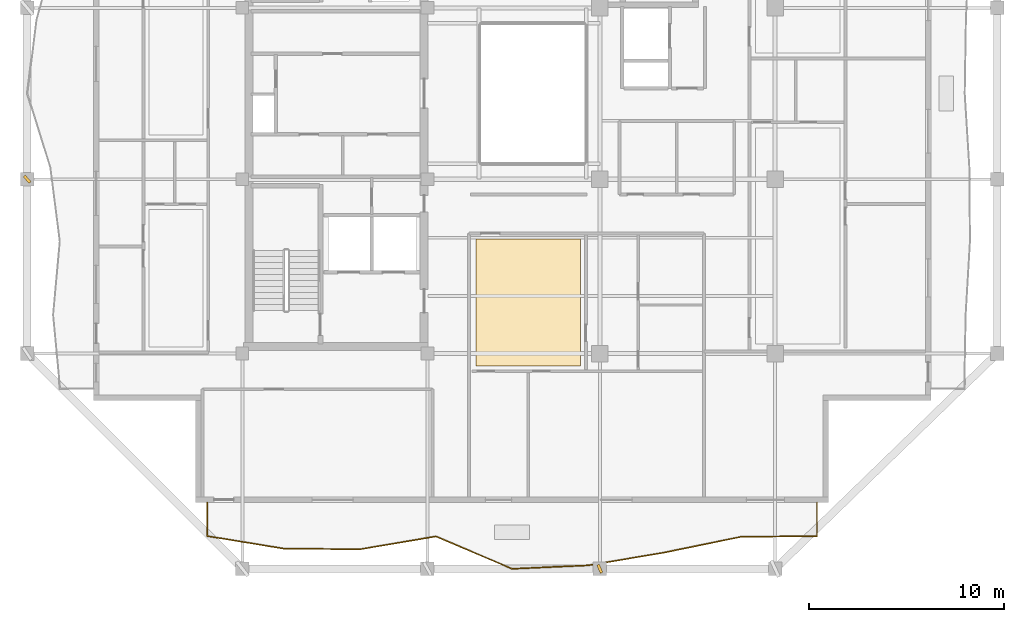
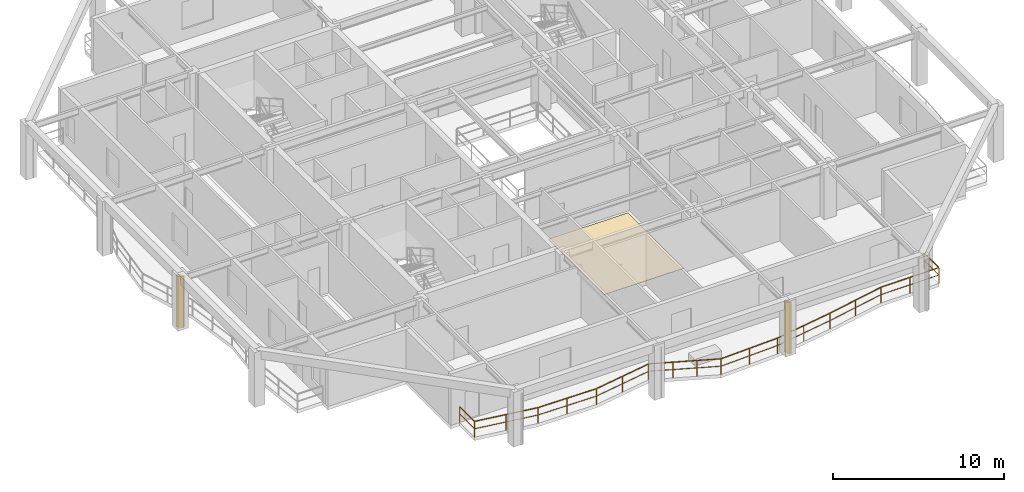
# One storey, part 8 of 12: 2 shading devices, 1 covering, 1 railing.
"""IFC4 building model written with IfcOpenShell, lengths in metres."""

from ifc_helpers import new_model, si_unit, direction, frame, origin, origin_2d, place, context, subcontext, project, spatial, polyline, rectangle, outline, extrude, material, layer, layer_set, type_object, element, save


model = new_model("IFC4")

# Units and contexts
model_context = context("Model", 3, precision=1e-05, world=origin(), true_north=direction((0.0, 1.0)))
body_context = subcontext(model_context, "Body", "Model", "MODEL_VIEW")
ifc_project = project(units=[si_unit("LENGTHUNIT", "METRE"), si_unit("AREAUNIT", "SQUARE_METRE"), si_unit("VOLUMEUNIT", "CUBIC_METRE"), si_unit("PLANEANGLEUNIT", "RADIAN"), si_unit("MASSUNIT", "GRAM", prefix="KILO")], contexts=[model_context])

# Site, building, storey
site_placement = place(None, origin())
site = spatial("IfcSite", under=ifc_project, at=site_placement, CompositionType="ELEMENT")
building_placement = place(site_placement, origin())
building = spatial("IfcBuilding", under=site, at=building_placement, Name="Kundavana Baori Tower", CompositionType="ELEMENT")
storey_placement = place(building_placement, frame((0.0, 0.0, 237.5)))
storey = spatial("IfcBuildingStorey", under=building, at=storey_placement, Name="L58", CompositionType="ELEMENT", Elevation=237.5)

# Covering
ifc_material_1 = material(Name="Honed Kota Stone and Terrazzo Flooring", Category="masonry")
ifc_layer = layer(ifc_material_1, 0.030029296875, Name="COV-INT-FLR")
ifc_layer_set = layer_set([ifc_layer], Name="Honed Kota Stone and Terrazzo Flooring")
covering_type = type_object("IfcCoveringType", Name="COV-INT-FLR", PredefinedType="FLOORING", material=ifc_layer_set)
covering_placement = place(storey_placement, origin())
element("IfcCovering", 1, at=covering_placement, inside=storey, type_object=covering_type, Name="L58 Room Finished Stone Flooring 3", PredefinedType="FLOORING", context=body_context, shape_type="SweptSolid", body=[
    extrude(outline(polyline([(27.43994140625, 14.6201171875), (32.81005859375, 14.6201171875), (32.81005859375, 21.139892578125), (27.43994140625, 21.139892578125), (27.43994140625, 14.6201171875)])), origin(), (0.0, 0.0, 1.0), 0.030029296875),
])

# Railing
ifc_material_2 = material(Name="Architectural Patinated Bronze Metalwork")
railing_type = type_object("IfcRailingType", Name="RL-BAL-1150", PredefinedType="BALUSTRADE", material=ifc_material_2)
railing_placement = place(storey_placement, frame((44.949951171875, 7.60009765625, 0.0)))
element("IfcRailing", 2, at=railing_placement, inside=storey, type_object=railing_type, Name="L58 Loggia Balcony Balustrade S", PredefinedType="BALUSTRADE", context=body_context, shape_type="SweptSolid", body=[
    extrude(rectangle(XDim=0.048095703125, YDim=0.048095703125, at=origin_2d()), frame((0.0, 0.0, 1.1259765625), z_axis=(0.0, -1.0, 0.0), x_axis=(1.0, 0.0, 0.0)), (0.0, 0.0, 1.0), 1.72021484375),
    extrude(rectangle(XDim=0.03125, YDim=0.03125, at=origin_2d()), frame((0.0, 0.0, 0.597900390625), z_axis=(0.0, -1.0, 0.0), x_axis=(1.0, 0.0, 0.0)), (0.0, 0.0, 1.0), 1.72021484375),
    extrude(rectangle(XDim=0.048095703125, YDim=0.048095703125, at=origin_2d()), frame((0.0, -1.72021484375, 1.1259765625), z_axis=(-0.999948260308, -0.010172350149, 0.0), x_axis=(0.010172350149, -0.999948260308, 0.0)), (0.0, 0.0, 1.0), 3.912109375),
    extrude(rectangle(XDim=0.03125, YDim=0.03125, at=origin_2d()), frame((0.0, -1.72021484375, 0.597900390625), z_axis=(-0.999948260308, -0.010172350149, 0.0), x_axis=(0.010172350149, -0.999948260308, 0.0)), (0.0, 0.0, 1.0), 3.912109375),
    extrude(rectangle(XDim=0.048095703125, YDim=0.048095703125, at=origin_2d()), frame((-3.911865234375, -1.760009765625, 1.1259765625), z_axis=(-0.979636312736, -0.200780215082, 0.0), x_axis=(0.200780215082, -0.979636312736, 0.0)), (0.0, 0.0, 1.0), 3.994384765625),
    extrude(rectangle(XDim=0.03125, YDim=0.03125, at=origin_2d()), frame((-3.911865234375, -1.760009765625, 0.597900390625), z_axis=(-0.979636312736, -0.200780215082, 0.0), x_axis=(0.200780215082, -0.979636312736, 0.0)), (0.0, 0.0, 1.0), 3.994384765625),
    extrude(rectangle(XDim=0.048095703125, YDim=0.048095703125, at=origin_2d()), frame((-7.824951171875, -2.56201171875, 1.1259765625), z_axis=(-0.986018861941, -0.166633741771, 0.0), x_axis=(0.166633741771, -0.986018861941, 0.0)), (0.0, 0.0, 1.0), 3.967529296875),
    extrude(rectangle(XDim=0.03125, YDim=0.03125, at=origin_2d()), frame((-7.824951171875, -2.56201171875, 0.597900390625), z_axis=(-0.986018861941, -0.166633741771, 0.0), x_axis=(0.166633741771, -0.986018861941, 0.0)), (0.0, 0.0, 1.0), 3.967529296875),
    extrude(rectangle(XDim=0.048095703125, YDim=0.048095703125, at=origin_2d()), frame((-11.737060546875, -3.22314453125, 1.1259765625), z_axis=(-0.998978412332, -0.045189951266, 0.0), x_axis=(0.045189951266, -0.998978412332, 0.0)), (0.0, 0.0, 1.0), 3.916748046875),
    extrude(rectangle(XDim=0.03125, YDim=0.03125, at=origin_2d()), frame((-11.737060546875, -3.22314453125, 0.597900390625), z_axis=(-0.998978412332, -0.045189951266, 0.0), x_axis=(0.045189951266, -0.998978412332, 0.0)), (0.0, 0.0, 1.0), 3.916748046875),
    extrude(rectangle(XDim=0.048095703125, YDim=0.048095703125, at=origin_2d()), frame((-15.64990234375, -3.400146484375, 1.1259765625), z_axis=(-0.920376399955, 0.391033607769, 0.0), x_axis=(-0.391033607769, -0.920376399955, 0.0)), (0.0, 0.0, 1.0), 4.25048828125),
    extrude(rectangle(XDim=0.03125, YDim=0.03125, at=origin_2d()), frame((-15.64990234375, -3.400146484375, 0.597900390625), z_axis=(-0.920376399955, 0.391033607769, 0.0), x_axis=(-0.391033607769, -0.920376399955, 0.0)), (0.0, 0.0, 1.0), 4.25048828125),
    extrude(rectangle(XDim=0.048095703125, YDim=0.048095703125, at=origin_2d()), frame((-19.56201171875, -1.738037109375, 1.1259765625), z_axis=(-0.986023986339, -0.166603416423, 0.0), x_axis=(0.166603416423, -0.986023986339, 0.0)), (0.0, 0.0, 1.0), 3.96826171875),
    extrude(rectangle(XDim=0.03125, YDim=0.03125, at=origin_2d()), frame((-19.56201171875, -1.738037109375, 0.597900390625), z_axis=(-0.986023986339, -0.166603416423, 0.0), x_axis=(0.166603416423, -0.986023986339, 0.0)), (0.0, 0.0, 1.0), 3.96826171875),
    extrude(rectangle(XDim=0.048095703125, YDim=0.048095703125, at=origin_2d()), frame((-23.474853515625, -2.399169921875, 1.1259765625), z_axis=(-0.999955035557, 0.009482977627, 0.0), x_axis=(-0.009482977627, -0.999955035557, 0.0)), (0.0, 0.0, 1.0), 3.913330078125),
    extrude(rectangle(XDim=0.03125, YDim=0.03125, at=origin_2d()), frame((-23.474853515625, -2.399169921875, 0.597900390625), z_axis=(-0.999955035557, 0.009482977627, 0.0), x_axis=(-0.009482977627, -0.999955035557, 0.0)), (0.0, 0.0, 1.0), 3.913330078125),
    extrude(rectangle(XDim=0.048095703125, YDim=0.048095703125, at=origin_2d()), frame((-27.387939453125, -2.362060546875, 1.1259765625), z_axis=(-0.986806866027, 0.161901850398, 0.0), x_axis=(-0.161901850398, -0.986806866027, 0.0)), (0.0, 0.0, 1.0), 3.96435546875),
    extrude(rectangle(XDim=0.03125, YDim=0.03125, at=origin_2d()), frame((-27.387939453125, -2.362060546875, 0.597900390625), z_axis=(-0.986806866027, 0.161901850398, 0.0), x_axis=(-0.161901850398, -0.986806866027, 0.0)), (0.0, 0.0, 1.0), 3.96435546875),
    extrude(rectangle(XDim=0.048095703125, YDim=0.048095703125, at=origin_2d()), frame((-31.300048828125, -1.72021484375, 1.1259765625), z_axis=(0.0, 1.0, 0.0), x_axis=(-1.0, 0.0, 0.0)), (0.0, 0.0, 1.0), 1.72021484375),
    extrude(rectangle(XDim=0.03125, YDim=0.03125, at=origin_2d()), frame((-31.300048828125, -1.72021484375, 0.597900390625), z_axis=(0.0, 1.0, 0.0), x_axis=(-1.0, 0.0, 0.0)), (0.0, 0.0, 1.0), 1.72021484375),
    extrude(rectangle(XDim=0.0419921875, YDim=0.0419921875, at=origin_2d()), origin(), (0.0, 0.0, 1.0), 1.101806640625),
    extrude(rectangle(XDim=0.0419921875, YDim=0.0419921875, at=origin_2d()), frame((0.0, -1.72021484375, 0.0)), (0.0, 0.0, 1.0), 1.101806640625),
    extrude(rectangle(XDim=0.0419921875, YDim=0.0419921875, at=origin_2d()), frame((-1.9560546875, -1.740234375, 0.0)), (0.0, 0.0, 1.0), 1.101806640625),
    extrude(rectangle(XDim=0.0419921875, YDim=0.0419921875, at=origin_2d()), frame((-3.911865234375, -1.760009765625, 0.0)), (0.0, 0.0, 1.0), 1.101806640625),
    extrude(rectangle(XDim=0.0419921875, YDim=0.0419921875, at=origin_2d()), frame((-5.868408203125, -2.1611328125, 0.0)), (0.0, 0.0, 1.0), 1.101806640625),
    extrude(rectangle(XDim=0.0419921875, YDim=0.0419921875, at=origin_2d()), frame((-7.824951171875, -2.56201171875, 0.0)), (0.0, 0.0, 1.0), 1.101806640625),
    extrude(rectangle(XDim=0.0419921875, YDim=0.0419921875, at=origin_2d()), frame((-9.781005859375, -2.892578125, 0.0)), (0.0, 0.0, 1.0), 1.101806640625),
    extrude(rectangle(XDim=0.0419921875, YDim=0.0419921875, at=origin_2d()), frame((-11.737060546875, -3.22314453125, 0.0)), (0.0, 0.0, 1.0), 1.101806640625),
    extrude(rectangle(XDim=0.0419921875, YDim=0.0419921875, at=origin_2d()), frame((-13.693359375, -3.3115234375, 0.0)), (0.0, 0.0, 1.0), 1.101806640625),
    extrude(rectangle(XDim=0.0419921875, YDim=0.0419921875, at=origin_2d()), frame((-15.64990234375, -3.400146484375, 0.0)), (0.0, 0.0, 1.0), 1.101806640625),
    extrude(rectangle(XDim=0.0419921875, YDim=0.0419921875, at=origin_2d()), frame((-16.953857421875, -2.84619140625, 0.0)), (0.0, 0.0, 1.0), 1.101806640625),
    extrude(rectangle(XDim=0.0419921875, YDim=0.0419921875, at=origin_2d()), frame((-18.258056640625, -2.2919921875, 0.0)), (0.0, 0.0, 1.0), 1.101806640625),
    extrude(rectangle(XDim=0.0419921875, YDim=0.0419921875, at=origin_2d()), frame((-19.56201171875, -1.738037109375, 0.0)), (0.0, 0.0, 1.0), 1.101806640625),
    extrude(rectangle(XDim=0.0419921875, YDim=0.0419921875, at=origin_2d()), frame((-21.5185546875, -2.068603515625, 0.0)), (0.0, 0.0, 1.0), 1.101806640625),
    extrude(rectangle(XDim=0.0419921875, YDim=0.0419921875, at=origin_2d()), frame((-23.474853515625, -2.399169921875, 0.0)), (0.0, 0.0, 1.0), 1.101806640625),
    extrude(rectangle(XDim=0.0419921875, YDim=0.0419921875, at=origin_2d()), frame((-25.431396484375, -2.380615234375, 0.0)), (0.0, 0.0, 1.0), 1.101806640625),
    extrude(rectangle(XDim=0.0419921875, YDim=0.0419921875, at=origin_2d()), frame((-27.387939453125, -2.362060546875, 0.0)), (0.0, 0.0, 1.0), 1.101806640625),
    extrude(rectangle(XDim=0.0419921875, YDim=0.0419921875, at=origin_2d()), frame((-29.343994140625, -2.041015625, 0.0)), (0.0, 0.0, 1.0), 1.101806640625),
    extrude(rectangle(XDim=0.0419921875, YDim=0.0419921875, at=origin_2d()), frame((-31.300048828125, -1.72021484375, 0.0)), (0.0, 0.0, 1.0), 1.101806640625),
    extrude(rectangle(XDim=0.0419921875, YDim=0.0419921875, at=origin_2d()), frame((-31.300048828125, 0.0, 0.0)), (0.0, 0.0, 1.0), 1.101806640625),
])

# Shading devices
ifc_material_3 = material(Name="Architectural Patinated Bronze Metalwork")
shading_device_type = type_object("IfcShadingDeviceType", Name="SHD-LOUV-450", PredefinedType="SHUTTER", material=ifc_material_3)
for number, where, z_axis, x_axis, name in (
    (3, (33.800048828125, 4.199951171875, 0.0), (0.0, 0.0, 1.0), (0.924944582565, 0.38010198524, 0.0), "L58 Sweeping Dholpur Sandstone Facade Fin 3"),
    (4, (4.39990234375, 24.199951171875, 0.0), (0.0, 0.0, 1.0), (0.752414908896, 0.658689460119, 0.0), "L58 Sweeping Dholpur Sandstone Facade Fin 6"),
):
    element("IfcShadingDevice", number, at=place(storey_placement, frame(where, z_axis=z_axis, x_axis=x_axis)), inside=storey, type_object=shading_device_type, Name=name, PredefinedType="SHUTTER", context=body_context, shape_type="SweptSolid", body=[
        extrude(rectangle(XDim=0.139892578125, YDim=0.449951171875, at=origin_2d()), origin(), (0.0, 0.0, 1.0), 3.659912109375),
    ])

save(model, "model.ifc")
